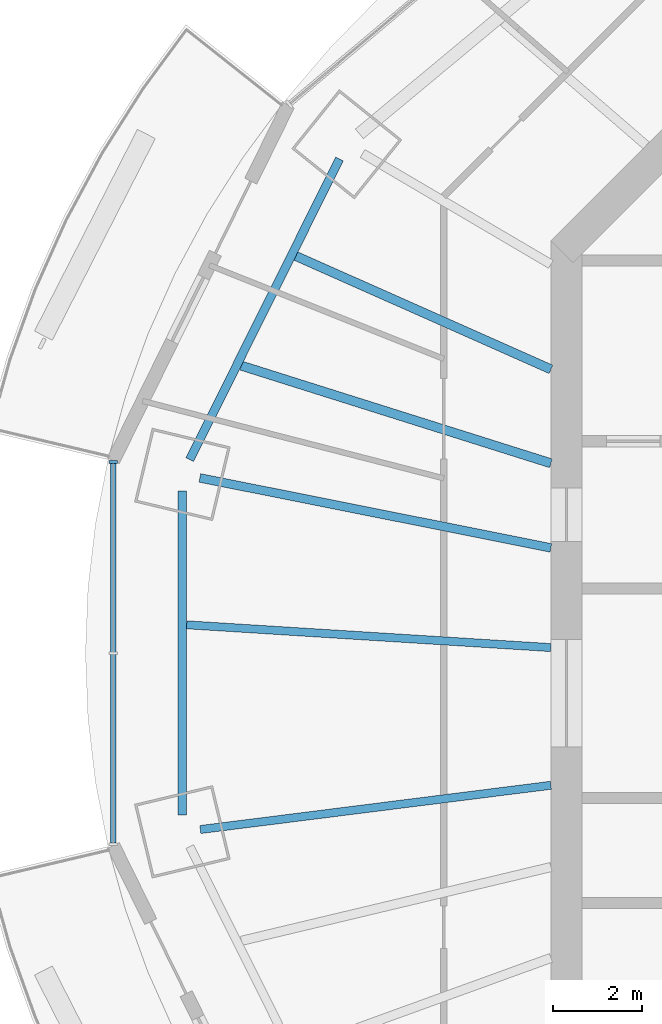
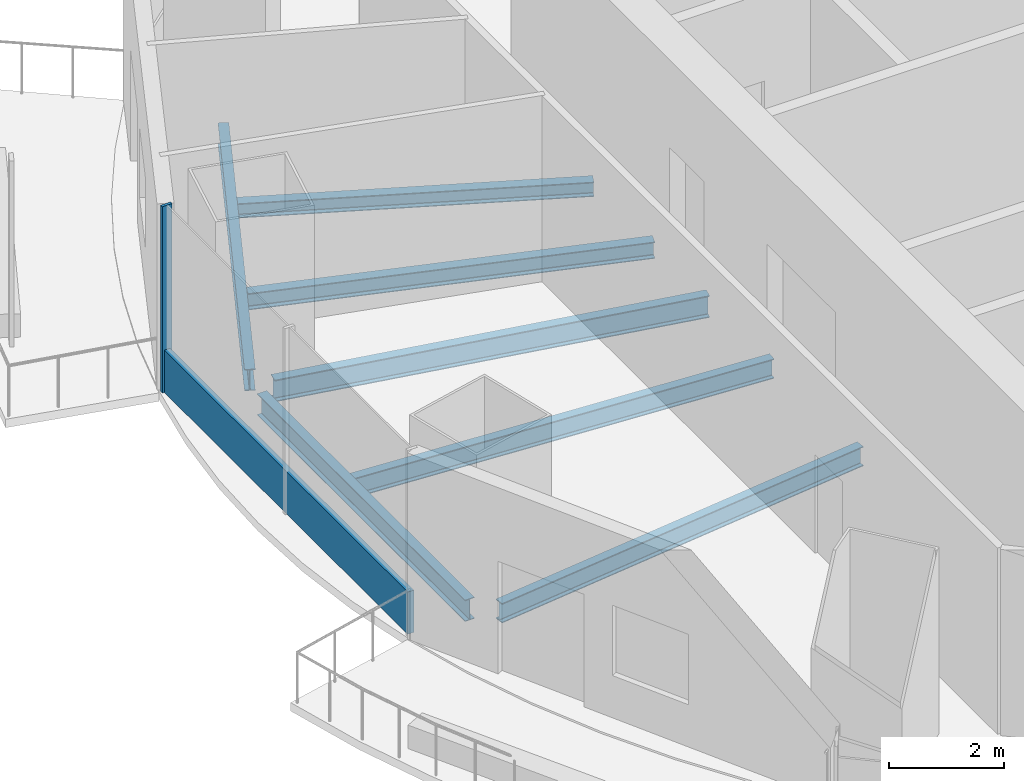
# One storey, part 3 of 16: 7 beams, 2 members, 1 element without a shape of its own.
"""IFC4 building model written with IfcOpenShell, lengths in metres."""

from ifc_helpers import new_model, si_unit, direction, frame, origin, origin_2d, place, context, subcontext, project, spatial, rectangle, i_section, extrude, material, material_profile, profile_set, type_object, element, aggregate, save


model = new_model("IFC4")

# Units and contexts
model_context = context("Model", 3, precision=1e-05, world=origin(), true_north=direction((0.0, 1.0)))
body_context = subcontext(model_context, "Body", "Model", "MODEL_VIEW")
ifc_project = project(units=[si_unit("LENGTHUNIT", "METRE"), si_unit("AREAUNIT", "SQUARE_METRE"), si_unit("VOLUMEUNIT", "CUBIC_METRE"), si_unit("PLANEANGLEUNIT", "RADIAN"), si_unit("MASSUNIT", "GRAM", prefix="KILO")], contexts=[model_context])

# Site, building, storey
site_placement = place(None, origin())
site = spatial("IfcSite", under=ifc_project, at=site_placement, CompositionType="ELEMENT")
building_placement = place(site_placement, origin())
building = spatial("IfcBuilding", under=site, at=building_placement, Name="Marenthal Gate Tower", CompositionType="ELEMENT")
storey_placement = place(building_placement, frame((0.0, 0.0, 367.5)))
storey = spatial("IfcBuildingStorey", under=building, at=storey_placement, Name="L83", CompositionType="ELEMENT", Elevation=367.5)

# Curtain wall, members
ifc_material_1 = material(Name="Aluminium and glass", Category="aluminium")
curtain_wall_type = type_object("IfcCurtainWallType", Name="Curtain wall typical high", PredefinedType="NOTDEFINED", material=ifc_material_1)
curtain_wall_placement = place(storey_placement, origin())
curtain_wall = element("IfcCurtainWall", 1, at=curtain_wall_placement, inside=storey, type_object=curtain_wall_type, Name="Curtain wall L83 bay 8", PredefinedType="NOTDEFINED")
ifc_material_2 = material(Name="Aluminium", Category="aluminium")
ifc_material_profile_1 = material_profile(ifc_material_2, rectangle(XDim=0.199951171875, YDim=0.06005859375, at=origin_2d()), Name="60x200 aluminium mullion")
ifc_profile_set_1 = profile_set([ifc_material_profile_1], Name="Aluminium")
member_type_1 = type_object("IfcMemberType", Name="Mullion 60x200 typical high", PredefinedType="MULLION", material=ifc_profile_set_1)
member_1_placement = place(storey_placement, frame((-26.160400390625, 5.18359375, 0.0), z_axis=(0.0, 0.0, 1.0), x_axis=(1.0, 0.0, 0.0)))
member_1 = element("IfcMember", 2, at=member_1_placement, type_object=member_type_1, Name="Mullion L83 bay 8.1", PredefinedType="MULLION", context=body_context, shape_type="SweptSolid", body=[
    extrude(rectangle(XDim=0.199951171875, YDim=0.06005859375, at=origin_2d()), origin(), (0.0, 0.0, 1.0), 3.969970703125),
])
ifc_material_3 = material(Name="Aluminium", Category="aluminium")
ifc_material_profile_2 = material_profile(ifc_material_3, rectangle(XDim=0.1201171875, YDim=0.89990234375, at=origin_2d()), Name="120x900 aluminium transom")
ifc_profile_set_2 = profile_set([ifc_material_profile_2], Name="Aluminium")
member_type_2 = type_object("IfcMemberType", Name="Transom 120x900 typical high", PredefinedType="USERDEFINED", material=ifc_profile_set_2)
member_2_placement = place(storey_placement, frame((-26.160400390625, 5.153564453125, 0.449951171875), z_axis=(0.0, -1.0, 0.0), x_axis=(1.0, 0.0, 0.0)))
member_2 = element("IfcMember", 3, at=member_2_placement, type_object=member_type_2, Name="Transom L83 bay 8", ObjectType="TRANSOM", PredefinedType="USERDEFINED", context=body_context, shape_type="SweptSolid", body=[
    extrude(rectangle(XDim=0.1201171875, YDim=0.89990234375, at=origin_2d()), origin(), (0.0, 0.0, 1.0), 8.507080078125),
])
aggregate(curtain_wall, [member_1, member_2])

# Beams
ifc_material_4 = material(Name="Steel S355", Category="steel")
ifc_material_profile_3 = material_profile(ifc_material_4, i_section(OverallWidth=0.205078125, OverallDepth=0.31005859375, WebThickness=0.009521484375, FlangeThickness=0.016357421875, FilletRadius=0.0126953125, at=origin_2d()), Name="W310X74")
ifc_profile_set_3 = profile_set([ifc_material_profile_3], Name="Steel S355")
beam_type_1 = type_object("IfcBeamType", Name="W310X74 beam", PredefinedType="BEAM", material=ifc_profile_set_3)
beam_1_placement = place(storey_placement, frame((-22.066162109375, 9.800537109375, -0.3349609375), z_axis=(0.913909711249, -0.40591752818, 0.0), x_axis=(0.40591752818, 0.913909711249, 0.0)))
element("IfcBeam", 4, at=beam_1_placement, inside=storey, type_object=beam_type_1, Name="BM-L83-26", PredefinedType="BEAM", context=body_context, shape_type="SweptSolid", body=[
    extrude(i_section(OverallWidth=0.205078125, OverallDepth=0.31005859375, WebThickness=0.009521484375, FlangeThickness=0.016357421875, FilletRadius=0.0126953125, at=origin_2d()), origin(), (0.0, 0.0, 1.0), 6.254638671875),
])
ifc_material_5 = material(Name="Steel S355", Category="steel")
ifc_material_profile_4 = material_profile(ifc_material_5, i_section(OverallWidth=0.205078125, OverallDepth=0.35302734375, WebThickness=0.009521484375, FlangeThickness=0.016845703125, FilletRadius=0.014892578125, at=origin_2d()), Name="W360X79")
ifc_profile_set_4 = profile_set([ifc_material_profile_4], Name="Steel S355")
beam_type_2 = type_object("IfcBeamType", Name="W360X79 beam", PredefinedType="BEAM", material=ifc_profile_set_4)
beam_2_placement = place(storey_placement, frame((-23.289794921875, 7.34326171875, -0.3564453125), z_axis=(0.953720492424, -0.300694566512, 0.0), x_axis=(0.300694566512, 0.953720492424, 0.0)))
element("IfcBeam", 5, at=beam_2_placement, inside=storey, type_object=beam_type_2, Name="BM-L83-27", PredefinedType="BEAM", context=body_context, shape_type="SweptSolid", body=[
    extrude(i_section(OverallWidth=0.205078125, OverallDepth=0.35302734375, WebThickness=0.009521484375, FlangeThickness=0.016845703125, FilletRadius=0.014892578125, at=origin_2d()), origin(), (0.0, 0.0, 1.0), 7.2763671875),
])
ifc_material_6 = material(Name="Steel S355", Category="steel")
ifc_material_profile_5 = material_profile(ifc_material_6, i_section(OverallWidth=0.180908203125, OverallDepth=0.4169921875, WebThickness=0.010986328125, FlangeThickness=0.018310546875, FilletRadius=0.01025390625, at=origin_2d()), Name="W410X85")
ifc_profile_set_5 = profile_set([ifc_material_profile_5], Name="Steel S355")
beam_type_3 = type_object("IfcBeamType", Name="W410X85 beam", PredefinedType="BEAM", material=ifc_profile_set_5)
beam_3_placement = place(storey_placement, frame((-24.20849609375, -3.0546875, -0.388427734375), z_axis=(0.992131135127, 0.125203077883, 0.0), x_axis=(-0.125203077883, 0.992131135127, 0.0)))
element("IfcBeam", 6, at=beam_3_placement, inside=storey, type_object=beam_type_3, Name="BM-L83-09", PredefinedType="BEAM", context=body_context, shape_type="SweptSolid", body=[
    extrude(i_section(OverallWidth=0.180908203125, OverallDepth=0.4169921875, WebThickness=0.010986328125, FlangeThickness=0.018310546875, FilletRadius=0.01025390625, at=origin_2d()), origin(), (0.0, 0.0, 1.0), 7.920654296875),
])
beam_4_placement = place(storey_placement, frame((-24.51513671875, 1.534912109375, -0.388427734375), z_axis=(0.998045605186, -0.062489758918, 0.0), x_axis=(0.062489758918, 0.998045605186, 0.0)))
element("IfcBeam", 7, at=beam_4_placement, inside=storey, type_object=beam_type_3, Name="BM-L83-28", PredefinedType="BEAM", context=body_context, shape_type="SweptSolid", body=[
    extrude(i_section(OverallWidth=0.180908203125, OverallDepth=0.4169921875, WebThickness=0.010986328125, FlangeThickness=0.018310546875, FilletRadius=0.01025390625, at=origin_2d()), origin(), (0.0, 0.0, 1.0), 8.180908203125),
])
ifc_material_7 = material(Name="Steel S355", Category="steel")
ifc_material_profile_6 = material_profile(ifc_material_7, i_section(OverallWidth=0.19091796875, OverallDepth=0.45703125, WebThickness=0.009033203125, FlangeThickness=0.014404296875, FilletRadius=0.01025390625, at=origin_2d()), Name="W460X74")
ifc_profile_set_6 = profile_set([ifc_material_profile_6], Name="Steel S355")
beam_type_4 = type_object("IfcBeamType", Name="W460X74 beam", PredefinedType="BEAM", material=ifc_profile_set_6)
beam_5_placement = place(storey_placement, frame((-21.089599609375, 11.975341796875, -0.408447265625), z_axis=(-0.445798626481, -0.895133277578, 0.0), x_axis=(0.895133277578, -0.445798626481, 0.0)))
element("IfcBeam", 8, at=beam_5_placement, inside=storey, type_object=beam_type_4, Name="BM-L83-45", PredefinedType="BEAM", context=body_context, shape_type="SweptSolid", body=[
    extrude(i_section(OverallWidth=0.19091796875, OverallDepth=0.45703125, WebThickness=0.009033203125, FlangeThickness=0.014404296875, FilletRadius=0.01025390625, at=origin_2d()), origin(), (0.0, 0.0, 1.0), 7.52587890625),
])
beam_6_placement = place(storey_placement, frame((-24.610595703125, 4.531494140625, -0.408447265625), z_axis=(0.0, -1.0, 0.0), x_axis=(1.0, 0.0, 0.0)))
element("IfcBeam", 9, at=beam_6_placement, inside=storey, type_object=beam_type_4, Name="BM-L83-46", PredefinedType="BEAM", context=body_context, shape_type="SweptSolid", body=[
    extrude(i_section(OverallWidth=0.19091796875, OverallDepth=0.45703125, WebThickness=0.009033203125, FlangeThickness=0.014404296875, FilletRadius=0.01025390625, at=origin_2d()), origin(), (0.0, 0.0, 1.0), 7.262939453125),
])
ifc_material_8 = material(Name="Steel S355", Category="steel")
ifc_material_profile_7 = material_profile(ifc_material_8, i_section(OverallWidth=0.193115234375, OverallDepth=0.467041015625, WebThickness=0.011474609375, FlangeThickness=0.01904296875, FilletRadius=0.010009765625, at=origin_2d()), Name="W460X97")
ifc_profile_set_7 = profile_set([ifc_material_profile_7], Name="Steel S355")
beam_type_5 = type_object("IfcBeamType", Name="W460X97 beam", PredefinedType="BEAM", material=ifc_profile_set_7)
beam_7_placement = place(storey_placement, frame((-24.2177734375, 4.8271484375, -0.41357421875), z_axis=(0.980704548758, -0.195495749433, 0.0), x_axis=(0.195495749433, 0.980704548758, 0.0)))
element("IfcBeam", 10, at=beam_7_placement, inside=storey, type_object=beam_type_5, Name="BM-L83-08", PredefinedType="BEAM", context=body_context, shape_type="SweptSolid", body=[
    extrude(i_section(OverallWidth=0.193115234375, OverallDepth=0.467041015625, WebThickness=0.011474609375, FlangeThickness=0.01904296875, FilletRadius=0.010009765625, at=origin_2d()), origin(), (0.0, 0.0, 1.0), 8.0224609375),
])

save(model, "model.ifc")
